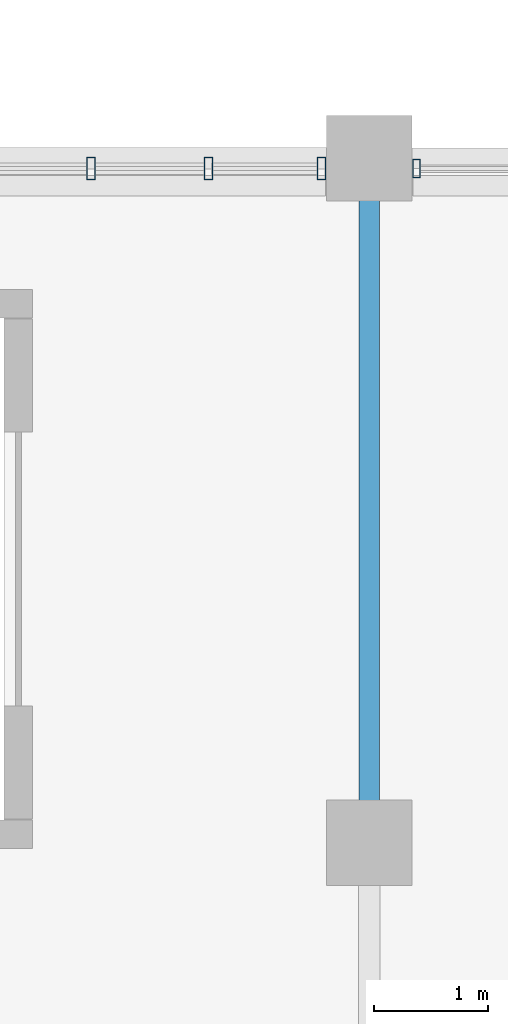
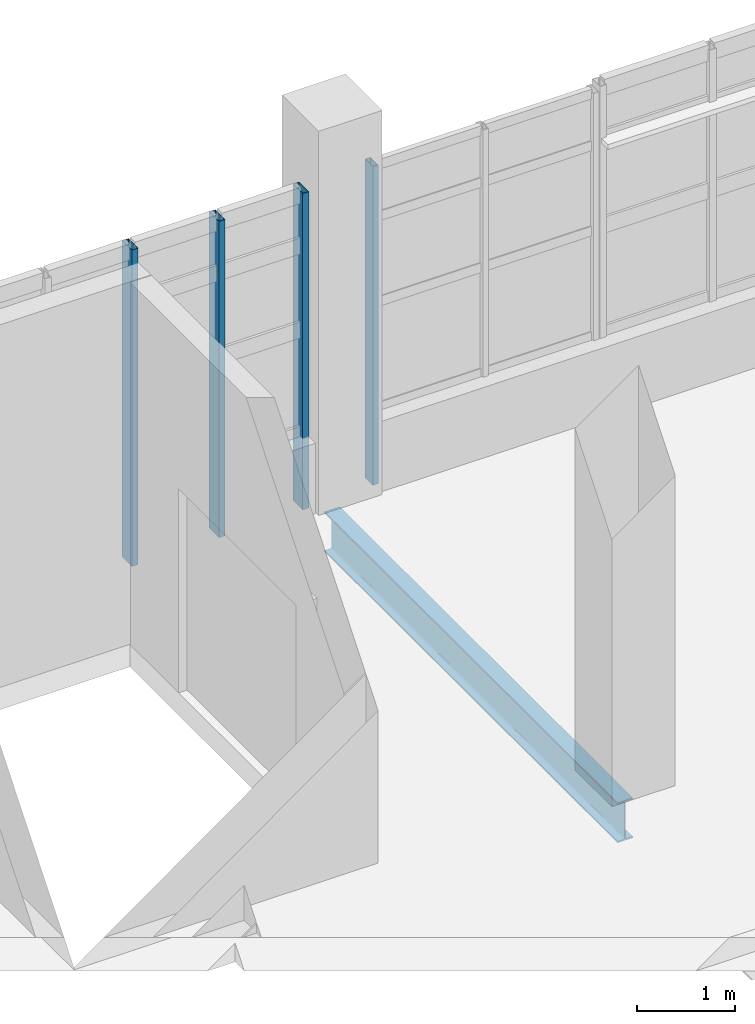
# One storey, part 64 of 127: 4 members, 1 beam, 2 elements without a shape of their own.
"""IFC4 building model written with IfcOpenShell, lengths in metres."""

from ifc_helpers import new_model, si_unit, derived_unit, direction, frame, origin, origin_2d, place, context, subcontext, project, spatial, hollow_rectangle, i_section, extrude, material, layer, layer_set, material_profile, profile_set, type_object, element, aggregate, save


model = new_model("IFC4")

# Units and contexts
model_context = context("Model", 3, precision=1e-05, world=origin(), true_north=direction((0.0, 1.0)))
body_context = subcontext(model_context, "Body", "Model", "MODEL_VIEW")
ifc_project = project(units=[si_unit("LENGTHUNIT", "METRE"), si_unit("AREAUNIT", "SQUARE_METRE"), si_unit("VOLUMEUNIT", "CUBIC_METRE"), si_unit("PLANEANGLEUNIT", "RADIAN"), si_unit("MASSUNIT", "GRAM", prefix="KILO"), derived_unit("THERMALTRANSMITTANCEUNIT", [(si_unit("POWERUNIT", "WATT"), 1), (si_unit("LENGTHUNIT", "METRE"), -2), (si_unit("THERMODYNAMICTEMPERATUREUNIT", "KELVIN"), -1)])], contexts=[model_context])

# Site, building, storey
site_placement = place(None, origin())
site = spatial("IfcSite", under=ifc_project, at=site_placement, CompositionType="ELEMENT")
building_placement = place(site_placement, origin())
building = spatial("IfcBuilding", under=site, at=building_placement, Name="Nallur Shell Playhouse", CompositionType="ELEMENT")
storey_placement = place(building_placement, frame((0.0, 0.0, 5.39990234375)))
storey = spatial("IfcBuildingStorey", under=building, at=storey_placement, Name="L02", CompositionType="ELEMENT", Elevation=5.39990234375)

# Beam
ifc_material_1 = material(Name="Steel E350", Category="steel")
ifc_material_profile_1 = material_profile(ifc_material_1, i_section(OverallWidth=0.179931640625, OverallDepth=0.5, WebThickness=0.01025390625, FlangeThickness=0.01708984375, FilletRadius=0.01708984375, at=origin_2d()), Name="ISMB 500")
ifc_profile_set_1 = profile_set([ifc_material_profile_1], Name="Steel E350")
beam_type = type_object("IfcBeamType", Name="BM-ST-ISMB500", PredefinedType="BEAM", material=ifc_profile_set_1)
beam_placement = place(storey_placement, frame((135.39990234375, 50.0, -0.52978515625), z_axis=(0.0, 1.0, 0.0), x_axis=(-1.0, 0.0, 0.0)))
element("IfcBeam", 1, at=beam_placement, inside=storey, type_object=beam_type, Name="L02 girder Y-17-458", PredefinedType="BEAM", context=body_context, shape_type="SweptSolid", body=[
    extrude(i_section(OverallWidth=0.179931640625, OverallDepth=0.5, WebThickness=0.01025390625, FlangeThickness=0.01708984375, FilletRadius=0.01708984375, at=origin_2d()), origin(), (0.0, 0.0, 1.0), 6.0),
])

# Curtain wall, member
ifc_material_2 = material(Name="Anodised Aluminium Double-Glazed Facade System", Category="aluminium")
ifc_layer_1 = layer(ifc_material_2, 0.1640625)
ifc_layer_set_1 = layer_set([ifc_layer_1], Name="Anodised Aluminium Double-Glazed Facade System")
curtain_wall_type_1 = type_object("IfcCurtainWallType", Name="CW-UNIT-31", PredefinedType="NOTDEFINED", material=ifc_layer_set_1)
curtain_wall_1_placement = place(storey_placement, origin())
curtain_wall_1 = element("IfcCurtainWall", 2, at=curtain_wall_1_placement, inside=storey, type_object=curtain_wall_type_1, Name="Unitised curtain wall CW-031 (L02)", PredefinedType="NOTDEFINED")
ifc_material_3 = material(Name="Aluminium Alloy 6063-T6 Mullion", Category="aluminium")
ifc_material_profile_2 = material_profile(ifc_material_3, hollow_rectangle(XDim=0.06494140625, YDim=0.159912109375, WallThickness=0.00390625, at=origin_2d()), Name="ALU 65x160x4")
ifc_profile_set_2 = profile_set([ifc_material_profile_2], Name="Aluminium Alloy 6063-T6 Mullion")
member_type_1 = type_object("IfcMemberType", Name="MB-CW-MUL160", PredefinedType="MULLION", material=ifc_profile_set_2)
member_1_placement = place(storey_placement, frame((135.8154296875, 55.909912109375, -0.014892578125), z_axis=(0.0, 0.0, 1.0), x_axis=(1.0, 0.0, 0.0)))
member_1 = element("IfcMember", 3, at=member_1_placement, type_object=member_type_1, Name="CW-31 mullion 1", PredefinedType="MULLION", context=body_context, shape_type="SweptSolid", body=[
    extrude(hollow_rectangle(XDim=0.06494140625, YDim=0.159912109375, WallThickness=0.00390625, at=origin_2d()), origin(), (0.0, 0.0, 1.0), 3.98388671875),
])
aggregate(curtain_wall_1, [member_1])

# Curtain wall, members
ifc_layer_2 = layer(ifc_material_2, 0.159912109375)
ifc_layer_set_2 = layer_set([ifc_layer_2], Name="Anodised Aluminium Double-Glazed Facade System")
curtain_wall_type_2 = type_object("IfcCurtainWallType", Name="CW-UNIT-30", PredefinedType="NOTDEFINED", material=ifc_layer_set_2)
curtain_wall_2_placement = place(storey_placement, origin())
curtain_wall_2 = element("IfcCurtainWall", 4, at=curtain_wall_2_placement, inside=storey, type_object=curtain_wall_type_2, Name="Unitised curtain wall CW-030 (L02)", PredefinedType="NOTDEFINED")
ifc_material_profile_3 = material_profile(ifc_material_3, hollow_rectangle(XDim=0.074951171875, YDim=0.199951171875, WallThickness=0.0048828125, at=origin_2d()), Name="ALU 75x200x5")
ifc_profile_set_3 = profile_set([ifc_material_profile_3], Name="Aluminium Alloy 6063-T6 Mullion")
member_type_2 = type_object("IfcMemberType", Name="MB-CW-MUL180", PredefinedType="MULLION", material=ifc_profile_set_3)
member_2_placement = place(storey_placement, frame((132.9609375, 55.909912109375, -0.014892578125), z_axis=(0.0, 0.0, 1.0), x_axis=(1.0, 0.0, 0.0)))
member_2 = element("IfcMember", 5, at=member_2_placement, type_object=member_type_2, Name="CW-30 mullion 3", PredefinedType="MULLION", context=body_context, shape_type="SweptSolid", body=[
    extrude(hollow_rectangle(XDim=0.074951171875, YDim=0.199951171875, WallThickness=0.0048828125, at=origin_2d()), origin(), (0.0, 0.0, 1.0), 3.9541015625),
])
member_3_placement = place(storey_placement, frame((133.989013671875, 55.909912109375, -0.014892578125), z_axis=(0.0, 0.0, 1.0), x_axis=(1.0, 0.0, 0.0)))
member_3 = element("IfcMember", 6, at=member_3_placement, type_object=member_type_2, Name="CW-30 mullion 4", PredefinedType="MULLION", context=body_context, shape_type="SweptSolid", body=[
    extrude(hollow_rectangle(XDim=0.074951171875, YDim=0.199951171875, WallThickness=0.0048828125, at=origin_2d()), origin(), (0.0, 0.0, 1.0), 3.9541015625),
])
member_4_placement = place(storey_placement, frame((134.9794921875, 55.909912109375, -0.014892578125), z_axis=(0.0, 0.0, 1.0), x_axis=(1.0, 0.0, 0.0)))
member_4 = element("IfcMember", 7, at=member_4_placement, type_object=member_type_2, Name="CW-30 mullion 5", PredefinedType="MULLION", context=body_context, shape_type="SweptSolid", body=[
    extrude(hollow_rectangle(XDim=0.074951171875, YDim=0.199951171875, WallThickness=0.0048828125, at=origin_2d()), origin(), (0.0, 0.0, 1.0), 3.9541015625),
])
aggregate(curtain_wall_2, [member_2, member_3, member_4])

save(model, "model.ifc")
